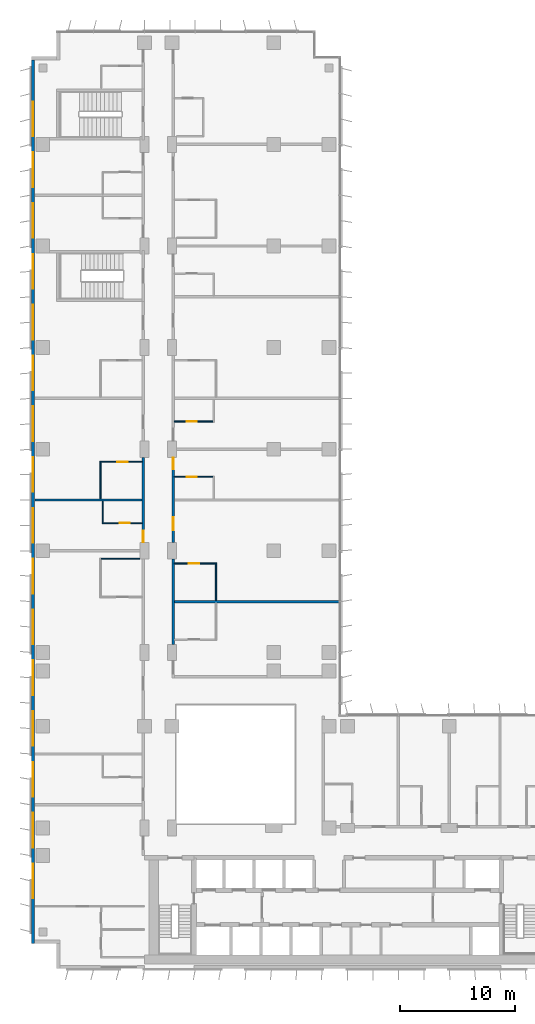
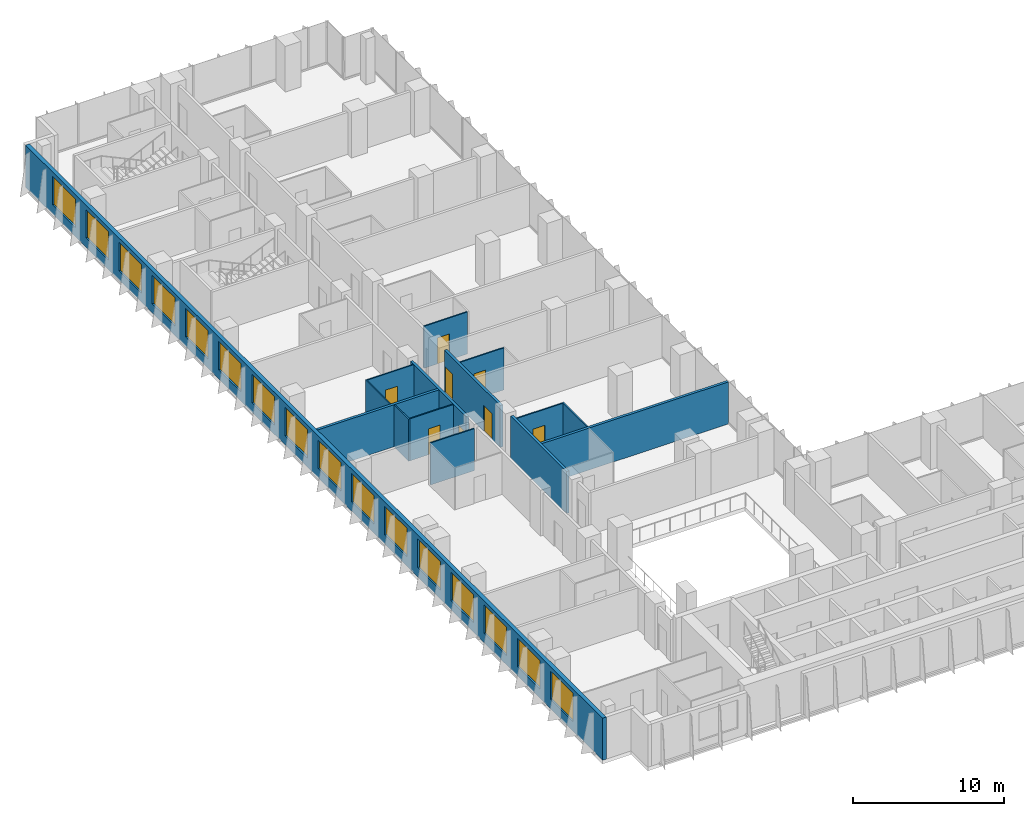
# One storey, part 15 of 22: 16 windows, 15 walls, 8 doors, 24 openings.
"""IFC4 building model written with IfcOpenShell, lengths in metres."""

from ifc_helpers import new_model, si_unit, direction, frame, frame_2d, origin, place, context, subcontext, project, spatial, rectangle, extrude, material, layer, layer_set, type_object, element, fill, save


model = new_model("IFC4")

# Units and contexts
model_context = context("Model", 3, precision=1e-05, world=origin(), true_north=direction((0.0, 1.0)))
body_context = subcontext(model_context, "Body", "Model", "MODEL_VIEW")
ifc_project = project(units=[si_unit("LENGTHUNIT", "METRE"), si_unit("AREAUNIT", "SQUARE_METRE"), si_unit("VOLUMEUNIT", "CUBIC_METRE"), si_unit("PLANEANGLEUNIT", "RADIAN"), si_unit("MASSUNIT", "GRAM", prefix="KILO")], contexts=[model_context])

# Site, building, storey
site_placement = place(None, origin())
site = spatial("IfcSite", under=ifc_project, at=site_placement, CompositionType="ELEMENT")
building_placement = place(site_placement, origin())
building = spatial("IfcBuilding", under=site, at=building_placement, Name="Kemantara Hotel Tower", CompositionType="ELEMENT")
storey_placement = place(building_placement, frame((0.0, 0.0, 111.10009765625)))
storey = spatial("IfcBuildingStorey", under=building, at=storey_placement, Name="L26", CompositionType="ELEMENT", Elevation=111.10009765625)

# Wall, openings, windows
ifc_material_1 = material(Name="Bronze anodised aluminium cladding on insulated steel stud wall", Category="steel")
ifc_layer_1 = layer(ifc_material_1, 0.300048828125)
ifc_layer_set_1 = layer_set([ifc_layer_1], Name="Bronze anodised aluminium cladding on insulated steel stud wall")
wall_type_1 = type_object("IfcWallType", Name="BRONZE METAL-CLAD EXTERNAL WALL 300", PredefinedType="STANDARD", material=ifc_layer_set_1)
wall_1_placement = place(storey_placement, frame((0.14990234375, 78.699951171875, 0.0), z_axis=(0.0, 0.0, 1.0), x_axis=(0.0, -1.0, 0.0)))
wall_1 = element("IfcWall", 1, at=wall_1_placement, inside=storey, type_object=wall_type_1, Name="EXTERNAL WALL L26 T2-R04", PredefinedType="STANDARD", context=body_context, shape_type="SweptSolid", body=[
    extrude(rectangle(XDim=76.5, YDim=0.300048828125, at=frame_2d((38.25, 0.0))), origin(), (0.0, 0.0, 1.0), 3.39990234375),
])
opening_1_placement = place(wall_1_placement, frame((3.60009765625, 0.0, 0.75)))
opening_1 = element("IfcOpeningElement", 2, at=opening_1_placement, cuts=wall_1, Name="Opening W1", PredefinedType="OPENING", context=body_context, shape_type="SweptSolid", body=[
    extrude(rectangle(XDim=3.0, YDim=2.300048828125, at=frame_2d((1.5, 1.14990234375))), frame((0.0, 0.159912109375, 0.0), z_axis=(0.0, -1.0, 0.0), x_axis=(1.0, 0.0, 0.0)), (0.0, 0.0, 1.0), 0.320068359375),
])
opening_2_placement = place(wall_1_placement, frame((8.0, 0.0, 0.75)))
opening_2 = element("IfcOpeningElement", 3, at=opening_2_placement, cuts=wall_1, Name="Opening W1", PredefinedType="OPENING", context=body_context, shape_type="SweptSolid", body=[
    extrude(rectangle(XDim=3.0, YDim=2.300048828125, at=frame_2d((1.5, 1.14990234375))), frame((0.0, 0.159912109375, 0.0), z_axis=(0.0, -1.0, 0.0), x_axis=(1.0, 0.0, 0.0)), (0.0, 0.0, 1.0), 0.320068359375),
])
opening_3_placement = place(wall_1_placement, frame((12.39990234375, 0.0, 0.75)))
opening_3 = element("IfcOpeningElement", 4, at=opening_3_placement, cuts=wall_1, Name="Opening W1", PredefinedType="OPENING", context=body_context, shape_type="SweptSolid", body=[
    extrude(rectangle(XDim=3.0, YDim=2.300048828125, at=frame_2d((1.5, 1.14990234375))), frame((0.0, 0.159912109375, 0.0), z_axis=(0.0, -1.0, 0.0), x_axis=(1.0, 0.0, 0.0)), (0.0, 0.0, 1.0), 0.320068359375),
])
opening_4_placement = place(wall_1_placement, frame((16.800048828125, 0.0, 0.75)))
opening_4 = element("IfcOpeningElement", 5, at=opening_4_placement, cuts=wall_1, Name="Opening W1", PredefinedType="OPENING", context=body_context, shape_type="SweptSolid", body=[
    extrude(rectangle(XDim=3.0, YDim=2.300048828125, at=frame_2d((1.5, 1.14990234375))), frame((0.0, 0.159912109375, 0.0), z_axis=(0.0, -1.0, 0.0), x_axis=(1.0, 0.0, 0.0)), (0.0, 0.0, 1.0), 0.320068359375),
])
opening_5_placement = place(wall_1_placement, frame((21.199951171875, 0.0, 0.75)))
opening_5 = element("IfcOpeningElement", 6, at=opening_5_placement, cuts=wall_1, Name="Opening W1", PredefinedType="OPENING", context=body_context, shape_type="SweptSolid", body=[
    extrude(rectangle(XDim=3.0, YDim=2.300048828125, at=frame_2d((1.5, 1.14990234375))), frame((0.0, 0.159912109375, 0.0), z_axis=(0.0, -1.0, 0.0), x_axis=(1.0, 0.0, 0.0)), (0.0, 0.0, 1.0), 0.320068359375),
])
opening_6_placement = place(wall_1_placement, frame((25.60009765625, 0.0, 0.75)))
opening_6 = element("IfcOpeningElement", 7, at=opening_6_placement, cuts=wall_1, Name="Opening W1", PredefinedType="OPENING", context=body_context, shape_type="SweptSolid", body=[
    extrude(rectangle(XDim=3.0, YDim=2.300048828125, at=frame_2d((1.5, 1.14990234375))), frame((0.0, 0.159912109375, 0.0), z_axis=(0.0, -1.0, 0.0), x_axis=(1.0, 0.0, 0.0)), (0.0, 0.0, 1.0), 0.320068359375),
])
opening_7_placement = place(wall_1_placement, frame((30.0, 0.0, 0.75)))
opening_7 = element("IfcOpeningElement", 8, at=opening_7_placement, cuts=wall_1, Name="Opening W1", PredefinedType="OPENING", context=body_context, shape_type="SweptSolid", body=[
    extrude(rectangle(XDim=3.0, YDim=2.300048828125, at=frame_2d((1.5, 1.14990234375))), frame((0.0, 0.159912109375, 0.0), z_axis=(0.0, -1.0, 0.0), x_axis=(1.0, 0.0, 0.0)), (0.0, 0.0, 1.0), 0.320068359375),
])
opening_8_placement = place(wall_1_placement, frame((34.39990234375, 0.0, 0.75)))
opening_8 = element("IfcOpeningElement", 9, at=opening_8_placement, cuts=wall_1, Name="Opening W1", PredefinedType="OPENING", context=body_context, shape_type="SweptSolid", body=[
    extrude(rectangle(XDim=3.0, YDim=2.300048828125, at=frame_2d((1.5, 1.14990234375))), frame((0.0, 0.159912109375, 0.0), z_axis=(0.0, -1.0, 0.0), x_axis=(1.0, 0.0, 0.0)), (0.0, 0.0, 1.0), 0.320068359375),
])
opening_9_placement = place(wall_1_placement, frame((38.800048828125, 0.0, 0.75)))
opening_9 = element("IfcOpeningElement", 10, at=opening_9_placement, cuts=wall_1, Name="Opening W1", PredefinedType="OPENING", context=body_context, shape_type="SweptSolid", body=[
    extrude(rectangle(XDim=3.0, YDim=2.300048828125, at=frame_2d((1.5, 1.14990234375))), frame((0.0, 0.159912109375, 0.0), z_axis=(0.0, -1.0, 0.0), x_axis=(1.0, 0.0, 0.0)), (0.0, 0.0, 1.0), 0.320068359375),
])
opening_10_placement = place(wall_1_placement, frame((43.199951171875, 0.0, 0.75)))
opening_10 = element("IfcOpeningElement", 11, at=opening_10_placement, cuts=wall_1, Name="Opening W1", PredefinedType="OPENING", context=body_context, shape_type="SweptSolid", body=[
    extrude(rectangle(XDim=3.0, YDim=2.300048828125, at=frame_2d((1.5, 1.14990234375))), frame((0.0, 0.159912109375, 0.0), z_axis=(0.0, -1.0, 0.0), x_axis=(1.0, 0.0, 0.0)), (0.0, 0.0, 1.0), 0.320068359375),
])
opening_11_placement = place(wall_1_placement, frame((47.60009765625, 0.0, 0.75)))
opening_11 = element("IfcOpeningElement", 12, at=opening_11_placement, cuts=wall_1, Name="Opening W1", PredefinedType="OPENING", context=body_context, shape_type="SweptSolid", body=[
    extrude(rectangle(XDim=3.0, YDim=2.300048828125, at=frame_2d((1.5, 1.14990234375))), frame((0.0, 0.159912109375, 0.0), z_axis=(0.0, -1.0, 0.0), x_axis=(1.0, 0.0, 0.0)), (0.0, 0.0, 1.0), 0.320068359375),
])
opening_12_placement = place(wall_1_placement, frame((52.0, 0.0, 0.75)))
opening_12 = element("IfcOpeningElement", 13, at=opening_12_placement, cuts=wall_1, Name="Opening W1", PredefinedType="OPENING", context=body_context, shape_type="SweptSolid", body=[
    extrude(rectangle(XDim=3.0, YDim=2.300048828125, at=frame_2d((1.5, 1.14990234375))), frame((0.0, 0.159912109375, 0.0), z_axis=(0.0, -1.0, 0.0), x_axis=(1.0, 0.0, 0.0)), (0.0, 0.0, 1.0), 0.320068359375),
])
opening_13_placement = place(wall_1_placement, frame((56.39990234375, 0.0, 0.75)))
opening_13 = element("IfcOpeningElement", 14, at=opening_13_placement, cuts=wall_1, Name="Opening W1", PredefinedType="OPENING", context=body_context, shape_type="SweptSolid", body=[
    extrude(rectangle(XDim=3.0, YDim=2.300048828125, at=frame_2d((1.5, 1.14990234375))), frame((0.0, 0.159912109375, 0.0), z_axis=(0.0, -1.0, 0.0), x_axis=(1.0, 0.0, 0.0)), (0.0, 0.0, 1.0), 0.320068359375),
])
opening_14_placement = place(wall_1_placement, frame((60.800048828125, 0.0, 0.75)))
opening_14 = element("IfcOpeningElement", 15, at=opening_14_placement, cuts=wall_1, Name="Opening W1", PredefinedType="OPENING", context=body_context, shape_type="SweptSolid", body=[
    extrude(rectangle(XDim=3.0, YDim=2.300048828125, at=frame_2d((1.5, 1.14990234375))), frame((0.0, 0.159912109375, 0.0), z_axis=(0.0, -1.0, 0.0), x_axis=(1.0, 0.0, 0.0)), (0.0, 0.0, 1.0), 0.320068359375),
])
opening_15_placement = place(wall_1_placement, frame((65.199951171875, 0.0, 0.75)))
opening_15 = element("IfcOpeningElement", 16, at=opening_15_placement, cuts=wall_1, Name="Opening W1", PredefinedType="OPENING", context=body_context, shape_type="SweptSolid", body=[
    extrude(rectangle(XDim=3.0, YDim=2.300048828125, at=frame_2d((1.5, 1.14990234375))), frame((0.0, 0.159912109375, 0.0), z_axis=(0.0, -1.0, 0.0), x_axis=(1.0, 0.0, 0.0)), (0.0, 0.0, 1.0), 0.320068359375),
])
opening_16_placement = place(wall_1_placement, frame((69.60009765625, 0.0, 0.75)))
opening_16 = element("IfcOpeningElement", 17, at=opening_16_placement, cuts=wall_1, Name="Opening W1", PredefinedType="OPENING", context=body_context, shape_type="SweptSolid", body=[
    extrude(rectangle(XDim=3.0, YDim=2.300048828125, at=frame_2d((1.5, 1.14990234375))), frame((0.0, 0.159912109375, 0.0), z_axis=(0.0, -1.0, 0.0), x_axis=(1.0, 0.0, 0.0)), (0.0, 0.0, 1.0), 0.320068359375),
])
ifc_material_2 = material(Name="Low-E tinted double insulated glass in bronze anodised aluminium frame", Category="aluminium")
window_type = type_object("IfcWindowType", Name="CHICAGO WINDOW, TRIPLE PANEL 3000x2300", PartitioningType="TRIPLE_PANEL_VERTICAL", PredefinedType="WINDOW", material=ifc_material_2)
window_1_placement = place(opening_1_placement, origin())
window_1 = element("IfcWindow", 18, at=window_1_placement, inside=storey, type_object=window_type, Name="CHICAGO WINDOW L26 T2-R04-54", OverallHeight=2.300048828125, OverallWidth=3.0, PartitioningType="SINGLE_PANEL", PredefinedType="WINDOW", context=body_context, shape_type="SweptSolid", body=[
    extrude(rectangle(XDim=3.0, YDim=2.300048828125, at=frame_2d((1.5, 1.14990234375))), frame((0.0, 0.030029296875, 0.0), z_axis=(0.0, -1.0, 0.0), x_axis=(1.0, 0.0, 0.0)), (0.0, 0.0, 1.0), 0.06005859375),
])
fill(opening_1, window_1)
window_2_placement = place(opening_2_placement, origin())
window_2 = element("IfcWindow", 19, at=window_2_placement, inside=storey, type_object=window_type, Name="CHICAGO WINDOW L26 T2-R04-98", OverallHeight=2.300048828125, OverallWidth=3.0, PartitioningType="SINGLE_PANEL", PredefinedType="WINDOW", context=body_context, shape_type="SweptSolid", body=[
    extrude(rectangle(XDim=3.0, YDim=2.300048828125, at=frame_2d((1.5, 1.14990234375))), frame((0.0, 0.030029296875, 0.0), z_axis=(0.0, -1.0, 0.0), x_axis=(1.0, 0.0, 0.0)), (0.0, 0.0, 1.0), 0.06005859375),
])
fill(opening_2, window_2)
window_3_placement = place(opening_3_placement, origin())
window_3 = element("IfcWindow", 20, at=window_3_placement, inside=storey, type_object=window_type, Name="CHICAGO WINDOW L26 T2-R04-142", OverallHeight=2.300048828125, OverallWidth=3.0, PartitioningType="SINGLE_PANEL", PredefinedType="WINDOW", context=body_context, shape_type="SweptSolid", body=[
    extrude(rectangle(XDim=3.0, YDim=2.300048828125, at=frame_2d((1.5, 1.14990234375))), frame((0.0, 0.030029296875, 0.0), z_axis=(0.0, -1.0, 0.0), x_axis=(1.0, 0.0, 0.0)), (0.0, 0.0, 1.0), 0.06005859375),
])
fill(opening_3, window_3)
window_4_placement = place(opening_4_placement, origin())
window_4 = element("IfcWindow", 21, at=window_4_placement, inside=storey, type_object=window_type, Name="CHICAGO WINDOW L26 T2-R04-186", OverallHeight=2.300048828125, OverallWidth=3.0, PartitioningType="SINGLE_PANEL", PredefinedType="WINDOW", context=body_context, shape_type="SweptSolid", body=[
    extrude(rectangle(XDim=3.0, YDim=2.300048828125, at=frame_2d((1.5, 1.14990234375))), frame((0.0, 0.030029296875, 0.0), z_axis=(0.0, -1.0, 0.0), x_axis=(1.0, 0.0, 0.0)), (0.0, 0.0, 1.0), 0.06005859375),
])
fill(opening_4, window_4)
window_5_placement = place(opening_5_placement, origin())
window_5 = element("IfcWindow", 22, at=window_5_placement, inside=storey, type_object=window_type, Name="CHICAGO WINDOW L26 T2-R04-230", OverallHeight=2.300048828125, OverallWidth=3.0, PartitioningType="SINGLE_PANEL", PredefinedType="WINDOW", context=body_context, shape_type="SweptSolid", body=[
    extrude(rectangle(XDim=3.0, YDim=2.300048828125, at=frame_2d((1.5, 1.14990234375))), frame((0.0, 0.030029296875, 0.0), z_axis=(0.0, -1.0, 0.0), x_axis=(1.0, 0.0, 0.0)), (0.0, 0.0, 1.0), 0.06005859375),
])
fill(opening_5, window_5)
window_6_placement = place(opening_6_placement, origin())
window_6 = element("IfcWindow", 23, at=window_6_placement, inside=storey, type_object=window_type, Name="CHICAGO WINDOW L26 T2-R04-274", OverallHeight=2.300048828125, OverallWidth=3.0, PartitioningType="SINGLE_PANEL", PredefinedType="WINDOW", context=body_context, shape_type="SweptSolid", body=[
    extrude(rectangle(XDim=3.0, YDim=2.300048828125, at=frame_2d((1.5, 1.14990234375))), frame((0.0, 0.030029296875, 0.0), z_axis=(0.0, -1.0, 0.0), x_axis=(1.0, 0.0, 0.0)), (0.0, 0.0, 1.0), 0.06005859375),
])
fill(opening_6, window_6)
window_7_placement = place(opening_7_placement, origin())
window_7 = element("IfcWindow", 24, at=window_7_placement, inside=storey, type_object=window_type, Name="CHICAGO WINDOW L26 T2-R04-318", OverallHeight=2.300048828125, OverallWidth=3.0, PartitioningType="SINGLE_PANEL", PredefinedType="WINDOW", context=body_context, shape_type="SweptSolid", body=[
    extrude(rectangle(XDim=3.0, YDim=2.300048828125, at=frame_2d((1.5, 1.14990234375))), frame((0.0, 0.030029296875, 0.0), z_axis=(0.0, -1.0, 0.0), x_axis=(1.0, 0.0, 0.0)), (0.0, 0.0, 1.0), 0.06005859375),
])
fill(opening_7, window_7)
window_8_placement = place(opening_8_placement, origin())
window_8 = element("IfcWindow", 25, at=window_8_placement, inside=storey, type_object=window_type, Name="CHICAGO WINDOW L26 T2-R04-362", OverallHeight=2.300048828125, OverallWidth=3.0, PartitioningType="SINGLE_PANEL", PredefinedType="WINDOW", context=body_context, shape_type="SweptSolid", body=[
    extrude(rectangle(XDim=3.0, YDim=2.300048828125, at=frame_2d((1.5, 1.14990234375))), frame((0.0, 0.030029296875, 0.0), z_axis=(0.0, -1.0, 0.0), x_axis=(1.0, 0.0, 0.0)), (0.0, 0.0, 1.0), 0.06005859375),
])
fill(opening_8, window_8)
window_9_placement = place(opening_9_placement, origin())
window_9 = element("IfcWindow", 26, at=window_9_placement, inside=storey, type_object=window_type, Name="CHICAGO WINDOW L26 T2-R04-406", OverallHeight=2.300048828125, OverallWidth=3.0, PartitioningType="SINGLE_PANEL", PredefinedType="WINDOW", context=body_context, shape_type="SweptSolid", body=[
    extrude(rectangle(XDim=3.0, YDim=2.300048828125, at=frame_2d((1.5, 1.14990234375))), frame((0.0, 0.030029296875, 0.0), z_axis=(0.0, -1.0, 0.0), x_axis=(1.0, 0.0, 0.0)), (0.0, 0.0, 1.0), 0.06005859375),
])
fill(opening_9, window_9)
window_10_placement = place(opening_10_placement, origin())
window_10 = element("IfcWindow", 27, at=window_10_placement, inside=storey, type_object=window_type, Name="CHICAGO WINDOW L26 T2-R04-450", OverallHeight=2.300048828125, OverallWidth=3.0, PartitioningType="SINGLE_PANEL", PredefinedType="WINDOW", context=body_context, shape_type="SweptSolid", body=[
    extrude(rectangle(XDim=3.0, YDim=2.300048828125, at=frame_2d((1.5, 1.14990234375))), frame((0.0, 0.030029296875, 0.0), z_axis=(0.0, -1.0, 0.0), x_axis=(1.0, 0.0, 0.0)), (0.0, 0.0, 1.0), 0.06005859375),
])
fill(opening_10, window_10)
window_11_placement = place(opening_11_placement, origin())
window_11 = element("IfcWindow", 28, at=window_11_placement, inside=storey, type_object=window_type, Name="CHICAGO WINDOW L26 T2-R04-494", OverallHeight=2.300048828125, OverallWidth=3.0, PartitioningType="SINGLE_PANEL", PredefinedType="WINDOW", context=body_context, shape_type="SweptSolid", body=[
    extrude(rectangle(XDim=3.0, YDim=2.300048828125, at=frame_2d((1.5, 1.14990234375))), frame((0.0, 0.030029296875, 0.0), z_axis=(0.0, -1.0, 0.0), x_axis=(1.0, 0.0, 0.0)), (0.0, 0.0, 1.0), 0.06005859375),
])
fill(opening_11, window_11)
window_12_placement = place(opening_12_placement, origin())
window_12 = element("IfcWindow", 29, at=window_12_placement, inside=storey, type_object=window_type, Name="CHICAGO WINDOW L26 T2-R04-538", OverallHeight=2.300048828125, OverallWidth=3.0, PartitioningType="SINGLE_PANEL", PredefinedType="WINDOW", context=body_context, shape_type="SweptSolid", body=[
    extrude(rectangle(XDim=3.0, YDim=2.300048828125, at=frame_2d((1.5, 1.14990234375))), frame((0.0, 0.030029296875, 0.0), z_axis=(0.0, -1.0, 0.0), x_axis=(1.0, 0.0, 0.0)), (0.0, 0.0, 1.0), 0.06005859375),
])
fill(opening_12, window_12)
window_13_placement = place(opening_13_placement, origin())
window_13 = element("IfcWindow", 30, at=window_13_placement, inside=storey, type_object=window_type, Name="CHICAGO WINDOW L26 T2-R04-582", OverallHeight=2.300048828125, OverallWidth=3.0, PartitioningType="SINGLE_PANEL", PredefinedType="WINDOW", context=body_context, shape_type="SweptSolid", body=[
    extrude(rectangle(XDim=3.0, YDim=2.300048828125, at=frame_2d((1.5, 1.14990234375))), frame((0.0, 0.030029296875, 0.0), z_axis=(0.0, -1.0, 0.0), x_axis=(1.0, 0.0, 0.0)), (0.0, 0.0, 1.0), 0.06005859375),
])
fill(opening_13, window_13)
window_14_placement = place(opening_14_placement, origin())
window_14 = element("IfcWindow", 31, at=window_14_placement, inside=storey, type_object=window_type, Name="CHICAGO WINDOW L26 T2-R04-626", OverallHeight=2.300048828125, OverallWidth=3.0, PartitioningType="SINGLE_PANEL", PredefinedType="WINDOW", context=body_context, shape_type="SweptSolid", body=[
    extrude(rectangle(XDim=3.0, YDim=2.300048828125, at=frame_2d((1.5, 1.14990234375))), frame((0.0, 0.030029296875, 0.0), z_axis=(0.0, -1.0, 0.0), x_axis=(1.0, 0.0, 0.0)), (0.0, 0.0, 1.0), 0.06005859375),
])
fill(opening_14, window_14)
window_15_placement = place(opening_15_placement, origin())
window_15 = element("IfcWindow", 32, at=window_15_placement, inside=storey, type_object=window_type, Name="CHICAGO WINDOW L26 T2-R04-670", OverallHeight=2.300048828125, OverallWidth=3.0, PartitioningType="SINGLE_PANEL", PredefinedType="WINDOW", context=body_context, shape_type="SweptSolid", body=[
    extrude(rectangle(XDim=3.0, YDim=2.300048828125, at=frame_2d((1.5, 1.14990234375))), frame((0.0, 0.030029296875, 0.0), z_axis=(0.0, -1.0, 0.0), x_axis=(1.0, 0.0, 0.0)), (0.0, 0.0, 1.0), 0.06005859375),
])
fill(opening_15, window_15)
window_16_placement = place(opening_16_placement, origin())
window_16 = element("IfcWindow", 33, at=window_16_placement, inside=storey, type_object=window_type, Name="CHICAGO WINDOW L26 T2-R04-714", OverallHeight=2.300048828125, OverallWidth=3.0, PartitioningType="SINGLE_PANEL", PredefinedType="WINDOW", context=body_context, shape_type="SweptSolid", body=[
    extrude(rectangle(XDim=3.0, YDim=2.300048828125, at=frame_2d((1.5, 1.14990234375))), frame((0.0, 0.030029296875, 0.0), z_axis=(0.0, -1.0, 0.0), x_axis=(1.0, 0.0, 0.0)), (0.0, 0.0, 1.0), 0.06005859375),
])
fill(opening_16, window_16)

# Wall, opening, door
ifc_material_3 = material(Name="Gypsum board partition, steel studs and mineral wool, 200 mm", Category="steel")
ifc_layer_2 = layer(ifc_material_3, 0.199951171875)
ifc_layer_set_2 = layer_set([ifc_layer_2], Name="Gypsum board partition, steel studs and mineral wool, 200 mm")
wall_type_2 = type_object("IfcWallType", Name="CORRIDOR WALL 200", PredefinedType="PARTITIONING", material=ifc_layer_set_2)
wall_2_placement = place(storey_placement, frame((9.699951171875, 36.900146484375, 0.0), z_axis=(0.0, 0.0, 1.0), x_axis=(0.0, 1.0, 0.0)))
wall_2 = element("IfcWall", 34, at=wall_2_placement, inside=storey, type_object=wall_type_2, Name="CORRIDOR WALL 200 020", PredefinedType="PARTITIONING", context=body_context, shape_type="SweptSolid", body=[
    extrude(rectangle(XDim=7.399658203125, YDim=0.199951171875, at=frame_2d((3.69970703125, 0.0))), origin(), (0.0, 0.0, 1.0), 3.39990234375),
])
opening_17_placement = place(wall_2_placement, frame((0.0498046875, 0.0, 0.0)))
opening_17 = element("IfcOpeningElement", 35, at=opening_17_placement, cuts=wall_2, Name="Opening F11-025", PredefinedType="OPENING", context=body_context, shape_type="SweptSolid", body=[
    extrude(rectangle(XDim=1.0, YDim=2.10009765625, at=frame_2d((0.5, 1.050048828125))), frame((0.0, 0.10986328125, 0.0), z_axis=(0.0, -1.0, 0.0), x_axis=(1.0, 0.0, 0.0)), (0.0, 0.0, 1.0), 0.219970703125),
])
ifc_material_4 = material(Name="Hardwood veneer door leaf with steel frame", Category="steel")
door_type_1 = type_object("IfcDoorType", Name="GUEST ROOM DOOR 1000 X 2100 FD30S", OperationType="NOTDEFINED", PredefinedType="DOOR", material=ifc_material_4)
door_1_placement = place(opening_17_placement, origin())
door_1 = element("IfcDoor", 36, at=door_1_placement, inside=storey, type_object=door_type_1, Name="GUEST ROOM DOOR F11-025", OperationType="SINGLE_SWING_LEFT", OverallHeight=2.10009765625, OverallWidth=1.0, PredefinedType="DOOR", context=body_context, shape_type="SweptSolid", body=[
    extrude(rectangle(XDim=1.0, YDim=2.10009765625, at=frame_2d((0.5, 1.050048828125))), frame((0.0, 0.02490234375, 0.0), z_axis=(0.0, -1.0, 0.0), x_axis=(1.0, 0.0, 0.0)), (0.0, 0.0, 1.0), 0.050048828125),
])
fill(opening_17, door_1)

# Wall
wall_3_placement = place(storey_placement, frame((12.300048828125, 28.10009765625, 0.0), z_axis=(0.0, 0.0, 1.0), x_axis=(0.0, 1.0, 0.0)))
element("IfcWall", 37, at=wall_3_placement, inside=storey, type_object=wall_type_2, Name="CORRIDOR WALL 200 034", PredefinedType="PARTITIONING", context=body_context, shape_type="SweptSolid", body=[
    extrude(rectangle(XDim=7.39990234375, YDim=0.199951171875, at=frame_2d((3.699951171875, 0.0))), origin(), (0.0, 0.0, 1.0), 3.39990234375),
])

# Wall, openings, doors
wall_4_placement = place(storey_placement, frame((12.300048828125, 44.2998046875, 0.0), z_axis=(0.0, 0.0, 1.0), x_axis=(0.0, -1.0, 0.0)))
wall_4 = element("IfcWall", 38, at=wall_4_placement, inside=storey, type_object=wall_type_2, Name="CORRIDOR WALL 200 035", PredefinedType="PARTITIONING", context=body_context, shape_type="SweptSolid", body=[
    extrude(rectangle(XDim=7.399658203125, YDim=0.199951171875, at=frame_2d((3.69970703125, 0.0))), origin(), (0.0, 0.0, 1.0), 3.39990234375),
])
opening_18_placement = place(wall_4_placement, frame((5.199951171875, 0.0, 0.0)))
opening_18 = element("IfcOpeningElement", 39, at=opening_18_placement, cuts=wall_4, Name="Opening F11-039", PredefinedType="OPENING", context=body_context, shape_type="SweptSolid", body=[
    extrude(rectangle(XDim=1.10009765625, YDim=2.10009765625, at=frame_2d((0.550048828125, 1.050048828125))), frame((0.0, 0.10986328125, 0.0), z_axis=(0.0, -1.0, 0.0), x_axis=(1.0, 0.0, 0.0)), (0.0, 0.0, 1.0), 0.219970703125),
])
opening_19_placement = place(wall_4_placement, frame((0.0498046875, 0.0, 0.0)))
opening_19 = element("IfcOpeningElement", 40, at=opening_19_placement, cuts=wall_4, Name="Opening F11-041", PredefinedType="OPENING", context=body_context, shape_type="SweptSolid", body=[
    extrude(rectangle(XDim=1.0, YDim=2.10009765625, at=frame_2d((0.5, 1.050048828125))), frame((0.0, 0.10986328125, 0.0), z_axis=(0.0, -1.0, 0.0), x_axis=(1.0, 0.0, 0.0)), (0.0, 0.0, 1.0), 0.219970703125),
])
door_2_placement = place(opening_19_placement, origin())
door_2 = element("IfcDoor", 41, at=door_2_placement, inside=storey, type_object=door_type_1, Name="GUEST ROOM DOOR F11-041", OperationType="SINGLE_SWING_LEFT", OverallHeight=2.10009765625, OverallWidth=1.0, PredefinedType="DOOR", context=body_context, shape_type="SweptSolid", body=[
    extrude(rectangle(XDim=1.0, YDim=2.10009765625, at=frame_2d((0.5, 1.050048828125))), frame((0.0, 0.02490234375, 0.0), z_axis=(0.0, -1.0, 0.0), x_axis=(1.0, 0.0, 0.0)), (0.0, 0.0, 1.0), 0.050048828125),
])
fill(opening_19, door_2)
door_type_2 = type_object("IfcDoorType", Name="SUITE ENTRANCE DOOR 1100 X 2100 FD30S", OperationType="NOTDEFINED", PredefinedType="DOOR", material=ifc_material_4)
door_3_placement = place(opening_18_placement, origin())
door_3 = element("IfcDoor", 42, at=door_3_placement, inside=storey, type_object=door_type_2, Name="SUITE ENTRANCE DOOR F11-039", OperationType="SINGLE_SWING_LEFT", OverallHeight=2.10009765625, OverallWidth=1.10009765625, PredefinedType="DOOR", context=body_context, shape_type="SweptSolid", body=[
    extrude(rectangle(XDim=1.10009765625, YDim=2.10009765625, at=frame_2d((0.550048828125, 1.050048828125))), frame((0.0, 0.02490234375, 0.0), z_axis=(0.0, -1.0, 0.0), x_axis=(1.0, 0.0, 0.0)), (0.0, 0.0, 1.0), 0.050048828125),
])
fill(opening_18, door_3)

# Walls
ifc_layer_3 = layer(ifc_material_3, 0.199951171875)
ifc_layer_set_3 = layer_set([ifc_layer_3], Name="Gypsum board partition, steel studs and mineral wool, 200 mm")
wall_type_3 = type_object("IfcWallType", Name="GUEST ROOM PARTY WALL 200", PredefinedType="PARTITIONING", material=ifc_layer_set_3)
wall_5_placement = place(storey_placement, frame((0.31005859375, 40.60009765625, 0.0), z_axis=(0.0, 0.0, 1.0), x_axis=(1.0, 0.0, 0.0)))
element("IfcWall", 43, at=wall_5_placement, inside=storey, type_object=wall_type_3, Name="GUEST ROOM PARTY WALL 200 028", PredefinedType="PARTITIONING", context=body_context, shape_type="SweptSolid", body=[
    extrude(rectangle(XDim=9.2900390625, YDim=0.199951171875, at=frame_2d((4.64501953125, 0.0))), origin(), (0.0, 0.0, 1.0), 3.39990234375),
])
wall_6_placement = place(storey_placement, frame((12.39990234375, 31.800048828125, 0.0), z_axis=(0.0, 0.0, 1.0), x_axis=(1.0, 0.0, 0.0)))
element("IfcWall", 44, at=wall_6_placement, inside=storey, type_object=wall_type_3, Name="GUEST ROOM PARTY WALL 200 042", PredefinedType="PARTITIONING", context=body_context, shape_type="SweptSolid", body=[
    extrude(rectangle(XDim=14.27001953125, YDim=0.199951171875, at=frame_2d((7.135009765625, 0.0))), origin(), (0.0, 0.0, 1.0), 3.39990234375),
])
ifc_material_5 = material(Name="Gypsum board partition on steel studs, 100 mm", Category="steel")
ifc_layer_4 = layer(ifc_material_5, 0.10009765625)
ifc_layer_set_4 = layer_set([ifc_layer_4], Name="Gypsum board partition on steel studs, 100 mm")
wall_type_4 = type_object("IfcWallType", Name="ROOM PARTITION 100", PredefinedType="PARTITIONING", material=ifc_layer_set_4)
wall_7_placement = place(storey_placement, frame((6.199951171875, 38.550048828125, 0.0), z_axis=(0.0, 0.0, 1.0), x_axis=(0.0, 1.0, 0.0)))
element("IfcWall", 45, at=wall_7_placement, inside=storey, type_object=wall_type_4, Name="ROOM PARTITION 100 072", PredefinedType="PARTITIONING", context=body_context, shape_type="SweptSolid", body=[
    extrude(rectangle(XDim=1.949951171875, YDim=0.10009765625, at=frame_2d((0.97509765625, 0.0))), origin(), (0.0, 0.0, 1.0), 3.39990234375),
])
wall_8_placement = place(storey_placement, frame((6.0, 40.699951171875, 0.0), z_axis=(0.0, 0.0, 1.0), x_axis=(0.0, 1.0, 0.0)))
element("IfcWall", 46, at=wall_8_placement, inside=storey, type_object=wall_type_4, Name="ROOM PARTITION 100 077", PredefinedType="PARTITIONING", context=body_context, shape_type="SweptSolid", body=[
    extrude(rectangle(XDim=3.25, YDim=0.10009765625, at=frame_2d((1.625, 0.0))), origin(), (0.0, 0.0, 1.0), 3.39990234375),
])
wall_9_placement = place(storey_placement, frame((6.050048828125, 35.5, 0.0), z_axis=(0.0, 0.0, 1.0), x_axis=(1.0, 0.0, 0.0)))
element("IfcWall", 47, at=wall_9_placement, inside=storey, type_object=wall_type_4, Name="ROOM PARTITION 100 080", PredefinedType="PARTITIONING", context=body_context, shape_type="SweptSolid", body=[
    extrude(rectangle(XDim=3.349853515625, YDim=0.10009765625, at=frame_2d((1.6748046875, 0.0))), origin(), (0.0, 0.0, 1.0), 3.39990234375),
])

# Wall, opening, door
wall_10_placement = place(storey_placement, frame((6.25, 38.60009765625, 0.0), z_axis=(0.0, 0.0, 1.0), x_axis=(1.0, 0.0, 0.0)))
wall_10 = element("IfcWall", 48, at=wall_10_placement, inside=storey, type_object=wall_type_4, Name="ROOM PARTITION 100 081", PredefinedType="PARTITIONING", context=body_context, shape_type="SweptSolid", body=[
    extrude(rectangle(XDim=3.35009765625, YDim=0.10009765625, at=frame_2d((1.675048828125, 0.0))), origin(), (0.0, 0.0, 1.0), 3.39990234375),
])
opening_20_placement = place(wall_10_placement, frame((1.39990234375, 0.0, 0.0)))
opening_20 = element("IfcOpeningElement", 49, at=opening_20_placement, cuts=wall_10, Name="Opening F11-026", PredefinedType="OPENING", context=body_context, shape_type="SweptSolid", body=[
    extrude(rectangle(XDim=0.89990234375, YDim=2.10009765625, at=frame_2d((0.449951171875, 1.050048828125))), frame((0.0, 0.06005859375, 0.0), z_axis=(0.0, -1.0, 0.0), x_axis=(1.0, 0.0, 0.0)), (0.0, 0.0, 1.0), 0.1201171875),
])
door_type_3 = type_object("IfcDoorType", Name="BATHROOM DOOR 900 X 2100", OperationType="NOTDEFINED", PredefinedType="DOOR", material=ifc_material_4)
door_4_placement = place(opening_20_placement, origin())
door_4 = element("IfcDoor", 50, at=door_4_placement, inside=storey, type_object=door_type_3, Name="BATHROOM DOOR F11-026", OperationType="SINGLE_SWING_RIGHT", OverallHeight=2.10009765625, OverallWidth=0.89990234375, PredefinedType="DOOR", context=body_context, shape_type="SweptSolid", body=[
    extrude(rectangle(XDim=0.89990234375, YDim=2.10009765625, at=frame_2d((0.449951171875, 1.050048828125))), frame((0.0, 0.02490234375, 0.0), z_axis=(0.0, -1.0, 0.0), x_axis=(1.0, 0.0, 0.0)), (0.0, 0.0, 1.0), 0.050048828125),
])
fill(opening_20, door_4)

wall_11_placement = place(storey_placement, frame((9.60009765625, 43.89990234375, 0.0), z_axis=(0.0, 0.0, 1.0), x_axis=(-1.0, 0.0, 0.0)))
wall_11 = element("IfcWall", 51, at=wall_11_placement, inside=storey, type_object=wall_type_4, Name="ROOM PARTITION 100 082", PredefinedType="PARTITIONING", context=body_context, shape_type="SweptSolid", body=[
    extrude(rectangle(XDim=3.550048828125, YDim=0.10009765625, at=frame_2d((1.77490234375, 0.0))), origin(), (0.0, 0.0, 1.0), 3.39990234375),
])
opening_21_placement = place(wall_11_placement, frame((1.25, 0.0, 0.0)))
opening_21 = element("IfcOpeningElement", 52, at=opening_21_placement, cuts=wall_11, Name="Opening F11-028", PredefinedType="OPENING", context=body_context, shape_type="SweptSolid", body=[
    extrude(rectangle(XDim=0.89990234375, YDim=2.10009765625, at=frame_2d((0.449951171875, 1.050048828125))), frame((0.0, 0.06005859375, 0.0), z_axis=(0.0, -1.0, 0.0), x_axis=(1.0, 0.0, 0.0)), (0.0, 0.0, 1.0), 0.1201171875),
])
door_5_placement = place(opening_21_placement, origin())
door_5 = element("IfcDoor", 53, at=door_5_placement, inside=storey, type_object=door_type_3, Name="BATHROOM DOOR F11-028", OperationType="SINGLE_SWING_LEFT", OverallHeight=2.10009765625, OverallWidth=0.89990234375, PredefinedType="DOOR", context=body_context, shape_type="SweptSolid", body=[
    extrude(rectangle(XDim=0.89990234375, YDim=2.10009765625, at=frame_2d((0.449951171875, 1.050048828125))), frame((0.0, 0.02490234375, 0.0), z_axis=(0.0, -1.0, 0.0), x_axis=(1.0, 0.0, 0.0)), (0.0, 0.0, 1.0), 0.050048828125),
])
fill(opening_21, door_5)

# Wall
wall_12_placement = place(storey_placement, frame((16.0, 31.89990234375, 0.0), z_axis=(0.0, 0.0, 1.0), x_axis=(0.0, 1.0, 0.0)))
element("IfcWall", 54, at=wall_12_placement, inside=storey, type_object=wall_type_4, Name="ROOM PARTITION 100 089", PredefinedType="PARTITIONING", context=body_context, shape_type="SweptSolid", body=[
    extrude(rectangle(XDim=3.25, YDim=0.10009765625, at=frame_2d((1.625, 0.0))), origin(), (0.0, 0.0, 1.0), 3.39990234375),
])

# Wall, opening, door
wall_13_placement = place(storey_placement, frame((15.949951171875, 35.10009765625, 0.0), z_axis=(0.0, 0.0, 1.0), x_axis=(-1.0, 0.0, 0.0)))
wall_13 = element("IfcWall", 55, at=wall_13_placement, inside=storey, type_object=wall_type_4, Name="ROOM PARTITION 100 093", PredefinedType="PARTITIONING", context=body_context, shape_type="SweptSolid", body=[
    extrude(rectangle(XDim=3.550048828125, YDim=0.10009765625, at=frame_2d((1.77490234375, 0.0))), origin(), (0.0, 0.0, 1.0), 3.39990234375),
])
opening_22_placement = place(wall_13_placement, frame((1.39990234375, 0.0, 0.0)))
opening_22 = element("IfcOpeningElement", 56, at=opening_22_placement, cuts=wall_13, Name="Opening F11-040", PredefinedType="OPENING", context=body_context, shape_type="SweptSolid", body=[
    extrude(rectangle(XDim=0.89990234375, YDim=2.10009765625, at=frame_2d((0.449951171875, 1.050048828125))), frame((0.0, 0.06005859375, 0.0), z_axis=(0.0, -1.0, 0.0), x_axis=(1.0, 0.0, 0.0)), (0.0, 0.0, 1.0), 0.1201171875),
])
door_6_placement = place(opening_22_placement, origin())
door_6 = element("IfcDoor", 57, at=door_6_placement, inside=storey, type_object=door_type_3, Name="BATHROOM DOOR F11-040", OperationType="SINGLE_SWING_RIGHT", OverallHeight=2.10009765625, OverallWidth=0.89990234375, PredefinedType="DOOR", context=body_context, shape_type="SweptSolid", body=[
    extrude(rectangle(XDim=0.89990234375, YDim=2.10009765625, at=frame_2d((0.449951171875, 1.050048828125))), frame((0.0, 0.02490234375, 0.0), z_axis=(0.0, -1.0, 0.0), x_axis=(1.0, 0.0, 0.0)), (0.0, 0.0, 1.0), 0.050048828125),
])
fill(opening_22, door_6)

wall_14_placement = place(storey_placement, frame((15.75, 42.60009765625, 0.0), z_axis=(0.0, 0.0, 1.0), x_axis=(-1.0, 0.0, 0.0)))
wall_14 = element("IfcWall", 58, at=wall_14_placement, inside=storey, type_object=wall_type_4, Name="ROOM PARTITION 100 097", PredefinedType="PARTITIONING", context=body_context, shape_type="SweptSolid", body=[
    extrude(rectangle(XDim=3.35009765625, YDim=0.10009765625, at=frame_2d((1.675048828125, 0.0))), origin(), (0.0, 0.0, 1.0), 3.39990234375),
])
opening_23_placement = place(wall_14_placement, frame((1.39990234375, 0.0, 0.0)))
opening_23 = element("IfcOpeningElement", 59, at=opening_23_placement, cuts=wall_14, Name="Opening F11-042", PredefinedType="OPENING", context=body_context, shape_type="SweptSolid", body=[
    extrude(rectangle(XDim=0.89990234375, YDim=2.10009765625, at=frame_2d((0.449951171875, 1.050048828125))), frame((0.0, 0.06005859375, 0.0), z_axis=(0.0, -1.0, 0.0), x_axis=(1.0, 0.0, 0.0)), (0.0, 0.0, 1.0), 0.1201171875),
])
door_7_placement = place(opening_23_placement, origin())
door_7 = element("IfcDoor", 60, at=door_7_placement, inside=storey, type_object=door_type_3, Name="BATHROOM DOOR F11-042", OperationType="SINGLE_SWING_RIGHT", OverallHeight=2.10009765625, OverallWidth=0.89990234375, PredefinedType="DOOR", context=body_context, shape_type="SweptSolid", body=[
    extrude(rectangle(XDim=0.89990234375, YDim=2.10009765625, at=frame_2d((0.449951171875, 1.050048828125))), frame((0.0, 0.02490234375, 0.0), z_axis=(0.0, -1.0, 0.0), x_axis=(1.0, 0.0, 0.0)), (0.0, 0.0, 1.0), 0.050048828125),
])
fill(opening_23, door_7)

wall_15_placement = place(storey_placement, frame((12.39990234375, 47.39990234375, 0.0), z_axis=(0.0, 0.0, 1.0), x_axis=(1.0, 0.0, 0.0)))
wall_15 = element("IfcWall", 61, at=wall_15_placement, inside=storey, type_object=wall_type_4, Name="ROOM PARTITION 100 098", PredefinedType="PARTITIONING", context=body_context, shape_type="SweptSolid", body=[
    extrude(rectangle(XDim=3.35009765625, YDim=0.10009765625, at=frame_2d((1.675048828125, 0.0))), origin(), (0.0, 0.0, 1.0), 3.39990234375),
])
opening_24_placement = place(wall_15_placement, frame((1.050048828125, 0.0, 0.0)))
opening_24 = element("IfcOpeningElement", 62, at=opening_24_placement, cuts=wall_15, Name="Opening F11-044", PredefinedType="OPENING", context=body_context, shape_type="SweptSolid", body=[
    extrude(rectangle(XDim=0.89990234375, YDim=2.10009765625, at=frame_2d((0.449951171875, 1.050048828125))), frame((0.0, 0.06005859375, 0.0), z_axis=(0.0, -1.0, 0.0), x_axis=(1.0, 0.0, 0.0)), (0.0, 0.0, 1.0), 0.1201171875),
])
door_8_placement = place(opening_24_placement, origin())
door_8 = element("IfcDoor", 63, at=door_8_placement, inside=storey, type_object=door_type_3, Name="BATHROOM DOOR F11-044", OperationType="SINGLE_SWING_LEFT", OverallHeight=2.10009765625, OverallWidth=0.89990234375, PredefinedType="DOOR", context=body_context, shape_type="SweptSolid", body=[
    extrude(rectangle(XDim=0.89990234375, YDim=2.10009765625, at=frame_2d((0.449951171875, 1.050048828125))), frame((0.0, 0.02490234375, 0.0), z_axis=(0.0, -1.0, 0.0), x_axis=(1.0, 0.0, 0.0)), (0.0, 0.0, 1.0), 0.050048828125),
])
fill(opening_24, door_8)

save(model, "model.ifc")
